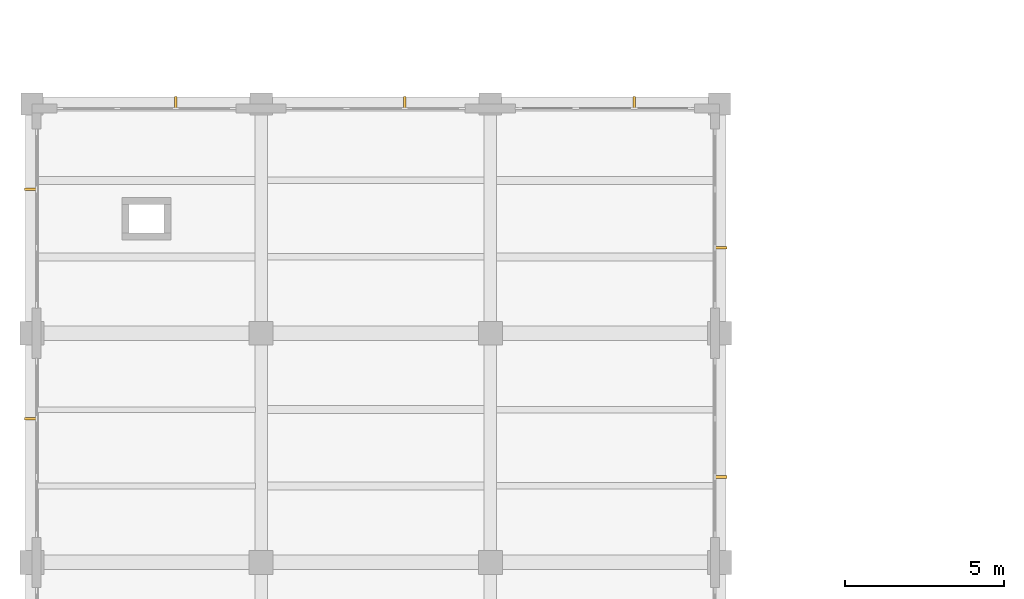
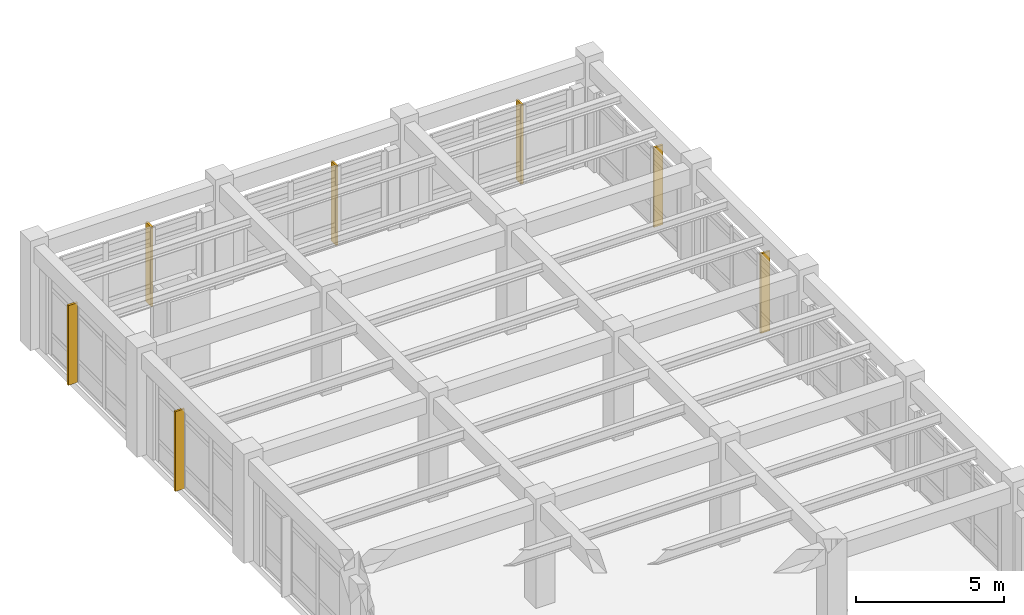
# One storey, part 60 of 64: 7 shading devices.
"""IFC4 building model written with IfcOpenShell, lengths in metres."""

from ifc_helpers import new_model, si_unit, direction, frame, origin, origin_2d, place, context, subcontext, project, spatial, rectangle, extrude, material, material_profile, profile_set, type_object, element, save


model = new_model("IFC4")

# Units and contexts
model_context = context("Model", 3, precision=1e-05, world=origin(), true_north=direction((0.0, 1.0)))
body_context = subcontext(model_context, "Body", "Model", "MODEL_VIEW")
ifc_project = project(units=[si_unit("LENGTHUNIT", "METRE"), si_unit("AREAUNIT", "SQUARE_METRE"), si_unit("VOLUMEUNIT", "CUBIC_METRE"), si_unit("PLANEANGLEUNIT", "RADIAN"), si_unit("MASSUNIT", "GRAM", prefix="KILO")], contexts=[model_context])

# Site, building, storey
site_placement = place(None, origin())
site = spatial("IfcSite", under=ifc_project, at=site_placement, CompositionType="ELEMENT")
building_placement = place(site_placement, origin())
building = spatial("IfcBuilding", under=site, at=building_placement, Name="Solenvale Faculty of Natural Sciences", CompositionType="ELEMENT")
storey_placement = place(building_placement, frame((0.0, 0.0, 18.0)))
storey = spatial("IfcBuildingStorey", under=building, at=storey_placement, Name="L04", CompositionType="ELEMENT", Elevation=18.0)

# Shading devices
ifc_material = material(Name="Anodised bronze aluminium", Category="aluminium")
ifc_material_profile = material_profile(ifc_material, rectangle(XDim=0.080078125, YDim=0.360107421875, at=origin_2d()), Name="ALU-FIN-80x360")
ifc_profile_set = profile_set([ifc_material_profile], Name="Anodised bronze aluminium")
shading_device_type = type_object("IfcShadingDeviceType", Name="SHD-FIN-360", PredefinedType="JALOUSIE", material=ifc_profile_set)
for number, where, z_axis, x_axis, name in (
    (1, (57.659912109375, 81.88330078125, -0.02001953125), (0.0, 0.0, 1.0), (0.0, 1.0, 0.0), "L04 Vertical Brise-Soleil Fin 1.7"),
    (2, (57.659912109375, 89.083251953125, -0.02001953125), (0.0, 0.0, 1.0), (0.0, 1.0, 0.0), "L04 Vertical Brise-Soleil Fin 1.8"),
    (3, (54.916748046875, 93.659912109375, -0.02001953125), (0.0, 0.0, 1.0), (1.0, 0.0, 0.0), "L04 Vertical Brise-Soleil Fin 2.1"),
    (4, (47.716552734375, 93.659912109375, -0.02001953125), (0.0, 0.0, 1.0), (1.0, 0.0, 0.0), "L04 Vertical Brise-Soleil Fin 2.2"),
    (5, (40.5166015625, 93.659912109375, -0.02001953125), (0.0, 0.0, 1.0), (1.0, 0.0, 0.0), "L04 Vertical Brise-Soleil Fin 2.3"),
    (6, (35.93994140625, 90.916748046875, -0.02001953125), (0.0, 0.0, 1.0), (0.0, 1.0, 0.0), "L04 Vertical Brise-Soleil Fin 3.1"),
    (7, (35.93994140625, 83.716552734375, -0.02001953125), (0.0, 0.0, 1.0), (0.0, 1.0, 0.0), "L04 Vertical Brise-Soleil Fin 3.2"),
):
    element("IfcShadingDevice", number, at=place(storey_placement, frame(where, z_axis=z_axis, x_axis=x_axis)), inside=storey, type_object=shading_device_type, Name=name, PredefinedType="JALOUSIE", context=body_context, shape_type="SweptSolid", body=[
        extrude(rectangle(XDim=0.080078125, YDim=0.360107421875, at=origin_2d()), origin(), (0.0, 0.0, 1.0), 3.280029296875),
    ])

save(model, "model.ifc")
